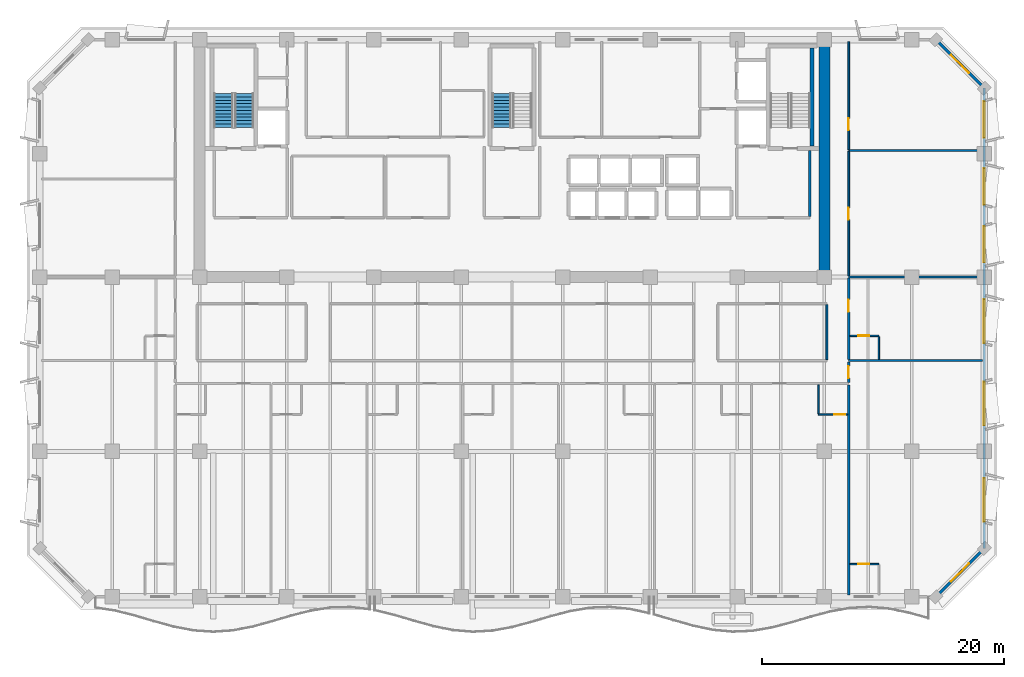
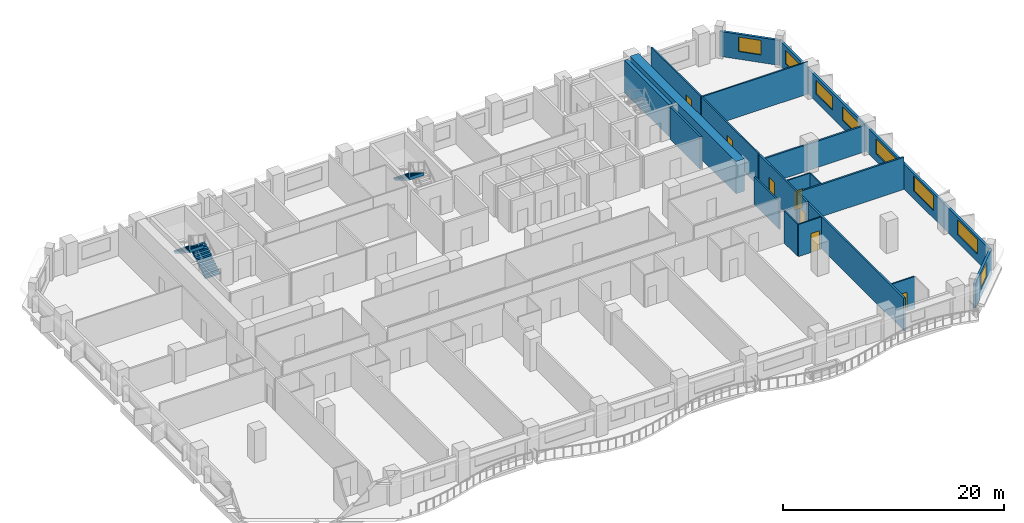
# One storey, part 9 of 15: 20 walls, 8 windows, 7 doors, 3 stair flights, 15 openings, 2 elements without a shape of their own.
"""IFC4 building model written with IfcOpenShell, lengths in metres."""

from ifc_helpers import new_model, si_unit, direction, frame, frame_2d, origin, place, context, subcontext, project, spatial, polyline, rectangle, outline, extrude, material, layer, layer_set, type_object, element, fill, aggregate, save


model = new_model("IFC4")

# Units and contexts
model_context = context("Model", 3, precision=1e-05, world=origin(), true_north=direction((0.0, 1.0)))
body_context = subcontext(model_context, "Body", "Model", "MODEL_VIEW")
ifc_project = project(units=[si_unit("LENGTHUNIT", "METRE"), si_unit("AREAUNIT", "SQUARE_METRE"), si_unit("VOLUMEUNIT", "CUBIC_METRE"), si_unit("PLANEANGLEUNIT", "RADIAN"), si_unit("MASSUNIT", "GRAM", prefix="KILO")], contexts=[model_context])

# Site, building, storey
site_placement = place(None, origin())
site = spatial("IfcSite", under=ifc_project, at=site_placement, CompositionType="ELEMENT")
building_placement = place(site_placement, origin())
building = spatial("IfcBuilding", under=site, at=building_placement, Name="Kaelvorn Grand Hotel", CompositionType="ELEMENT")
storey_placement = place(building_placement, frame((0.0, 0.0, 177.14990234375)))
storey = spatial("IfcBuildingStorey", under=building, at=storey_placement, Name="L43", CompositionType="ELEMENT", Elevation=177.14990234375)

# Wall
ifc_material_1 = material(Name="Concrete C60/75", Category="concrete")
ifc_layer_1 = layer(ifc_material_1, 0.89990234375)
ifc_layer_set_1 = layer_set([ifc_layer_1], Name="Concrete C60/75")
wall_type_1 = type_object("IfcWallType", Name="WL-CORE-900-C60", PredefinedType="SHEAR", material=ifc_layer_set_1)
wall_1_placement = place(storey_placement, frame((67.800048828125, 29.39990234375, 0.0), z_axis=(0.0, 0.0, 1.0), x_axis=(0.0, 1.0, 0.0)))
element("IfcWall", 1, at=wall_1_placement, inside=storey, type_object=wall_type_1, Name="L43 Rear-Core East Shear Wall", PredefinedType="SHEAR", context=body_context, shape_type="SweptSolid", body=[
    extrude(rectangle(XDim=19.2001953125, YDim=0.89990234375, at=frame_2d((9.60009765625, 0.0))), origin(), (0.0, 0.0, 1.0), 3.56005859375),
])

# Wall, opening, window
ifc_material_2 = material(Name="Concrete C40/50", Category="concrete")
ifc_layer_2 = layer(ifc_material_2, 0.239990234375)
ifc_layer_set_2 = layer_set([ifc_layer_2], Name="Concrete C40/50")
wall_type_2 = type_object("IfcWallType", Name="WL-EXT-240-C40", PredefinedType="SOLIDWALL", material=ifc_layer_set_2)
wall_2_placement = place(storey_placement, frame((77.0, 3.0, 0.0), z_axis=(0.0, 0.0, 1.0), x_axis=(0.707106781187, 0.707106781187, 0.0)))
wall_2 = element("IfcWall", 2, at=wall_2_placement, inside=storey, type_object=wall_type_2, Name="L43 Exterior Architectural Concrete Wall 02", PredefinedType="SOLIDWALL", context=body_context, shape_type="SweptSolid", body=[
    extrude(rectangle(XDim=5.65673828125, YDim=0.239990234375, at=frame_2d((2.828369140625, 0.0))), origin(), (0.0, 0.0, 1.0), 2.760009765625),
])
opening_1_placement = place(wall_2_placement, frame((1.7783203125, 0.0, 0.85009765625)))
opening_1 = element("IfcOpeningElement", 3, at=opening_1_placement, cuts=wall_2, Name="Opening W7", PredefinedType="OPENING", context=body_context, shape_type="SweptSolid", body=[
    extrude(rectangle(XDim=2.10009765625, YDim=1.60009765625, at=frame_2d((1.050048828125, 0.800048828125))), frame((0.0, 0.1298828125, 0.0), z_axis=(0.0, -1.0, 0.0), x_axis=(1.0, 0.0, 0.0)), (0.0, 0.0, 1.0), 0.260009765625),
])
ifc_material_3 = material(Name="Laminated Low-E Glass", Category="glass")
window_type_1 = type_object("IfcWindowType", Name="WIN-CHM-2100x1600", PartitioningType="SINGLE_PANEL", PredefinedType="WINDOW", material=ifc_material_3)
window_1_placement = place(opening_1_placement, origin())
window_1 = element("IfcWindow", 4, at=window_1_placement, inside=storey, type_object=window_type_1, Name="L43 Chamfered 45-Degree Corner Window SE", OverallHeight=1.60009765625, OverallWidth=2.10009765625, PartitioningType="SINGLE_PANEL", PredefinedType="WINDOW", context=body_context, shape_type="SweptSolid", body=[
    extrude(rectangle(XDim=2.10009765625, YDim=1.60009765625, at=frame_2d((1.050048828125, 0.800048828125))), frame((0.0, 0.030029296875, 0.0), z_axis=(0.0, -1.0, 0.0), x_axis=(1.0, 0.0, 0.0)), (0.0, 0.0, 1.0), 0.06005859375),
])
fill(opening_1, window_1)

# Wall, openings, windows
wall_3_placement = place(storey_placement, frame((81.0, 7.0, 0.0), z_axis=(0.0, 0.0, 1.0), x_axis=(0.0, 1.0, 0.0)))
wall_3 = element("IfcWall", 5, at=wall_3_placement, inside=storey, type_object=wall_type_2, Name="L43 Exterior Architectural Concrete Wall 03", PredefinedType="SOLIDWALL", context=body_context, shape_type="SweptSolid", body=[
    extrude(rectangle(XDim=38.0, YDim=0.239990234375, at=frame_2d((19.0, 0.0))), origin(), (0.0, 0.0, 1.0), 2.760009765625),
])
opening_2_placement = place(wall_3_placement, frame((2.199951171875, 0.0, 0.85009765625)))
opening_2 = element("IfcOpeningElement", 6, at=opening_2_placement, cuts=wall_3, Name="Opening W3", PredefinedType="OPENING", context=body_context, shape_type="SweptSolid", body=[
    extrude(rectangle(XDim=3.60009765625, YDim=1.64990234375, at=frame_2d((1.800048828125, 0.824951171875))), frame((0.0, 0.1298828125, 0.0), z_axis=(0.0, -1.0, 0.0), x_axis=(1.0, 0.0, 0.0)), (0.0, 0.0, 1.0), 0.260009765625),
])
opening_3_placement = place(wall_3_placement, frame((10.14990234375, 0.0, 0.85009765625)))
opening_3 = element("IfcOpeningElement", 7, at=opening_3_placement, cuts=wall_3, Name="Opening W3", PredefinedType="OPENING", context=body_context, shape_type="SweptSolid", body=[
    extrude(rectangle(XDim=3.60009765625, YDim=1.64990234375, at=frame_2d((1.800048828125, 0.824951171875))), frame((0.0, 0.1298828125, 0.0), z_axis=(0.0, -1.0, 0.0), x_axis=(1.0, 0.0, 0.0)), (0.0, 0.0, 1.0), 0.260009765625),
])
opening_4_placement = place(wall_3_placement, frame((16.949951171875, 0.0, 0.85009765625)))
opening_4 = element("IfcOpeningElement", 8, at=opening_4_placement, cuts=wall_3, Name="Opening W3", PredefinedType="OPENING", context=body_context, shape_type="SweptSolid", body=[
    extrude(rectangle(XDim=3.60009765625, YDim=1.64990234375, at=frame_2d((1.800048828125, 0.824951171875))), frame((0.0, 0.1298828125, 0.0), z_axis=(0.0, -1.0, 0.0), x_axis=(1.0, 0.0, 0.0)), (0.0, 0.0, 1.0), 0.260009765625),
])
opening_5_placement = place(wall_3_placement, frame((23.614990234375, 0.0, 0.85009765625)))
opening_5 = element("IfcOpeningElement", 9, at=opening_5_placement, cuts=wall_3, Name="Opening W5", PredefinedType="OPENING", context=body_context, shape_type="SweptSolid", body=[
    extrude(rectangle(XDim=3.0, YDim=1.5, at=frame_2d((1.5, 0.75))), frame((0.0, 0.1298828125, 0.0), z_axis=(0.0, -1.0, 0.0), x_axis=(1.0, 0.0, 0.0)), (0.0, 0.0, 1.0), 0.260009765625),
])
opening_6_placement = place(wall_3_placement, frame((28.385009765625, 0.0, 0.85009765625)))
opening_6 = element("IfcOpeningElement", 10, at=opening_6_placement, cuts=wall_3, Name="Opening W5", PredefinedType="OPENING", context=body_context, shape_type="SweptSolid", body=[
    extrude(rectangle(XDim=3.0, YDim=1.5, at=frame_2d((1.5, 0.75))), frame((0.0, 0.1298828125, 0.0), z_axis=(0.0, -1.0, 0.0), x_axis=(1.0, 0.0, 0.0)), (0.0, 0.0, 1.0), 0.260009765625),
])
opening_7_placement = place(wall_3_placement, frame((33.9150390625, 0.0, 0.85009765625)))
opening_7 = element("IfcOpeningElement", 11, at=opening_7_placement, cuts=wall_3, Name="Opening W5", PredefinedType="OPENING", context=body_context, shape_type="SweptSolid", body=[
    extrude(rectangle(XDim=3.0, YDim=1.5, at=frame_2d((1.5, 0.75))), frame((0.0, 0.1298828125, 0.0), z_axis=(0.0, -1.0, 0.0), x_axis=(1.0, 0.0, 0.0)), (0.0, 0.0, 1.0), 0.260009765625),
])
window_type_2 = type_object("IfcWindowType", Name="WIN-NTH-3000x1500", PartitioningType="SINGLE_PANEL", PredefinedType="WINDOW", material=ifc_material_3)
window_2_placement = place(opening_5_placement, origin())
window_2 = element("IfcWindow", 12, at=window_2_placement, inside=storey, type_object=window_type_2, Name="L43 E Wing Tilted-Frame Ribbon Window E04", OverallHeight=1.5, OverallWidth=3.0, PartitioningType="SINGLE_PANEL", PredefinedType="WINDOW", context=body_context, shape_type="SweptSolid", body=[
    extrude(rectangle(XDim=3.0, YDim=1.5, at=frame_2d((1.5, 0.75))), frame((0.0, 0.030029296875, 0.0), z_axis=(0.0, -1.0, 0.0), x_axis=(1.0, 0.0, 0.0)), (0.0, 0.0, 1.0), 0.06005859375),
])
fill(opening_5, window_2)
window_3_placement = place(opening_6_placement, origin())
window_3 = element("IfcWindow", 13, at=window_3_placement, inside=storey, type_object=window_type_2, Name="L43 E Wing Tilted-Frame Ribbon Window E05", OverallHeight=1.5, OverallWidth=3.0, PartitioningType="SINGLE_PANEL", PredefinedType="WINDOW", context=body_context, shape_type="SweptSolid", body=[
    extrude(rectangle(XDim=3.0, YDim=1.5, at=frame_2d((1.5, 0.75))), frame((0.0, 0.030029296875, 0.0), z_axis=(0.0, -1.0, 0.0), x_axis=(1.0, 0.0, 0.0)), (0.0, 0.0, 1.0), 0.06005859375),
])
fill(opening_6, window_3)
window_4_placement = place(opening_7_placement, origin())
window_4 = element("IfcWindow", 14, at=window_4_placement, inside=storey, type_object=window_type_2, Name="L43 E Wing Tilted-Frame Ribbon Window E06", OverallHeight=1.5, OverallWidth=3.0, PartitioningType="SINGLE_PANEL", PredefinedType="WINDOW", context=body_context, shape_type="SweptSolid", body=[
    extrude(rectangle(XDim=3.0, YDim=1.5, at=frame_2d((1.5, 0.75))), frame((0.0, 0.030029296875, 0.0), z_axis=(0.0, -1.0, 0.0), x_axis=(1.0, 0.0, 0.0)), (0.0, 0.0, 1.0), 0.06005859375),
])
fill(opening_7, window_4)
window_type_3 = type_object("IfcWindowType", Name="WIN-RIB-3600x1750", PartitioningType="SINGLE_PANEL", PredefinedType="WINDOW", material=ifc_material_3)
window_5_placement = place(opening_2_placement, origin())
window_5 = element("IfcWindow", 15, at=window_5_placement, inside=storey, type_object=window_type_3, Name="L43 E Wing Tilted-Frame Ribbon Window E01", OverallHeight=1.64990234375, OverallWidth=3.60009765625, PartitioningType="SINGLE_PANEL", PredefinedType="WINDOW", context=body_context, shape_type="SweptSolid", body=[
    extrude(rectangle(XDim=3.60009765625, YDim=1.64990234375, at=frame_2d((1.800048828125, 0.824951171875))), frame((0.0, 0.030029296875, 0.0), z_axis=(0.0, -1.0, 0.0), x_axis=(1.0, 0.0, 0.0)), (0.0, 0.0, 1.0), 0.06005859375),
])
fill(opening_2, window_5)
window_6_placement = place(opening_3_placement, origin())
window_6 = element("IfcWindow", 16, at=window_6_placement, inside=storey, type_object=window_type_3, Name="L43 E Wing Tilted-Frame Ribbon Window E02", OverallHeight=1.64990234375, OverallWidth=3.60009765625, PartitioningType="SINGLE_PANEL", PredefinedType="WINDOW", context=body_context, shape_type="SweptSolid", body=[
    extrude(rectangle(XDim=3.60009765625, YDim=1.64990234375, at=frame_2d((1.800048828125, 0.824951171875))), frame((0.0, 0.030029296875, 0.0), z_axis=(0.0, -1.0, 0.0), x_axis=(1.0, 0.0, 0.0)), (0.0, 0.0, 1.0), 0.06005859375),
])
fill(opening_3, window_6)
window_7_placement = place(opening_4_placement, origin())
window_7 = element("IfcWindow", 17, at=window_7_placement, inside=storey, type_object=window_type_3, Name="L43 E Wing Tilted-Frame Ribbon Window E03", OverallHeight=1.64990234375, OverallWidth=3.60009765625, PartitioningType="SINGLE_PANEL", PredefinedType="WINDOW", context=body_context, shape_type="SweptSolid", body=[
    extrude(rectangle(XDim=3.60009765625, YDim=1.64990234375, at=frame_2d((1.800048828125, 0.824951171875))), frame((0.0, 0.030029296875, 0.0), z_axis=(0.0, -1.0, 0.0), x_axis=(1.0, 0.0, 0.0)), (0.0, 0.0, 1.0), 0.06005859375),
])
fill(opening_4, window_7)

# Wall, opening, window
wall_4_placement = place(storey_placement, frame((81.0, 45.0, 0.0), z_axis=(0.0, 0.0, 1.0), x_axis=(-0.707106781187, 0.707106781187, 0.0)))
wall_4 = element("IfcWall", 18, at=wall_4_placement, inside=storey, type_object=wall_type_2, Name="L43 Exterior Architectural Concrete Wall 04", PredefinedType="SOLIDWALL", context=body_context, shape_type="SweptSolid", body=[
    extrude(rectangle(XDim=5.65673828125, YDim=0.239990234375, at=frame_2d((2.828369140625, 0.0))), origin(), (0.0, 0.0, 1.0), 2.760009765625),
])
opening_8_placement = place(wall_4_placement, frame((1.7783203125, 0.0, 0.85009765625)))
opening_8 = element("IfcOpeningElement", 19, at=opening_8_placement, cuts=wall_4, Name="Opening W7", PredefinedType="OPENING", context=body_context, shape_type="SweptSolid", body=[
    extrude(rectangle(XDim=2.10009765625, YDim=1.60009765625, at=frame_2d((1.050048828125, 0.800048828125))), frame((0.0, 0.1298828125, 0.0), z_axis=(0.0, -1.0, 0.0), x_axis=(1.0, 0.0, 0.0)), (0.0, 0.0, 1.0), 0.260009765625),
])
window_8_placement = place(opening_8_placement, origin())
window_8 = element("IfcWindow", 20, at=window_8_placement, inside=storey, type_object=window_type_1, Name="L43 Chamfered 45-Degree Corner Window NE", OverallHeight=1.60009765625, OverallWidth=2.10009765625, PartitioningType="SINGLE_PANEL", PredefinedType="WINDOW", context=body_context, shape_type="SweptSolid", body=[
    extrude(rectangle(XDim=2.10009765625, YDim=1.60009765625, at=frame_2d((1.050048828125, 0.800048828125))), frame((0.0, 0.030029296875, 0.0), z_axis=(0.0, -1.0, 0.0), x_axis=(1.0, 0.0, 0.0)), (0.0, 0.0, 1.0), 0.06005859375),
])
fill(opening_8, window_8)

# Wall, opening, door
ifc_material_4 = material(Name="Moisture-Resistant Tile & Stud Board")
ifc_layer_3 = layer(ifc_material_4, 0.125)
ifc_layer_set_3 = layer_set([ifc_layer_3], Name="Moisture-Resistant Tile & Stud Board")
wall_type_3 = type_object("IfcWallType", Name="WL-PART-125-WET", PredefinedType="PARTITIONING", material=ifc_layer_set_3)
wall_5_placement = place(storey_placement, frame((67.300048828125, 18.050048828125, 0.0), z_axis=(0.0, 0.0, 1.0), x_axis=(1.0, 0.0, 0.0)))
wall_5 = element("IfcWall", 21, at=wall_5_placement, inside=storey, type_object=wall_type_3, Name="L43 En-suite Bathroom L43-07 S Partition", PredefinedType="PARTITIONING", context=body_context, shape_type="SweptSolid", body=[
    extrude(rectangle(XDim=2.405029296875, YDim=0.125, at=frame_2d((1.20263671875, 0.0))), origin(), (0.0, 0.0, 1.0), 3.56005859375),
])
opening_9_placement = place(wall_5_placement, frame((1.300048828125, 0.0, 0.0)))
opening_9 = element("IfcOpeningElement", 22, at=opening_9_placement, cuts=wall_5, Name="Opening DI4", PredefinedType="OPENING", context=body_context, shape_type="SweptSolid", body=[
    extrude(rectangle(XDim=0.89990234375, YDim=2.10009765625, at=frame_2d((0.449951171875, 1.050048828125))), frame((0.0, 0.072509765625, 0.0), z_axis=(0.0, -1.0, 0.0), x_axis=(1.0, 0.0, 0.0)), (0.0, 0.0, 1.0), 0.14501953125),
])
ifc_material_5 = material(Name="Timber Veneer Leaf", Category="wood")
door_type_1 = type_object("IfcDoorType", Name="DR-INT-BATH-900x2100", OperationType="NOTDEFINED", PredefinedType="DOOR", material=ifc_material_5)
door_1_placement = place(opening_9_placement, origin())
door_1 = element("IfcDoor", 23, at=door_1_placement, inside=storey, type_object=door_type_1, Name="L43 En-suite Bathroom L43-07 Door", OperationType="SINGLE_SWING_RIGHT", OverallHeight=2.10009765625, OverallWidth=0.89990234375, PredefinedType="DOOR", context=body_context, shape_type="SweptSolid", body=[
    extrude(rectangle(XDim=0.89990234375, YDim=2.10009765625, at=frame_2d((0.449951171875, 1.050048828125))), frame((0.0, 0.02490234375, 0.0), z_axis=(0.0, -1.0, 0.0), x_axis=(1.0, 0.0, 0.0)), (0.0, 0.0, 1.0), 0.050048828125),
])
fill(opening_9, door_1)

# Wall
wall_6_placement = place(storey_placement, frame((67.300048828125, 18.117431640625, 0.0), z_axis=(0.0, 0.0, 1.0), x_axis=(0.0, 1.0, 0.0)))
element("IfcWall", 24, at=wall_6_placement, inside=storey, type_object=wall_type_3, Name="L43 En-suite Bathroom L43-07 W Partition", PredefinedType="PARTITIONING", context=body_context, shape_type="SweptSolid", body=[
    extrude(rectangle(XDim=2.387451171875, YDim=0.125, at=frame_2d((1.19384765625, 0.0))), origin(), (0.0, 0.0, 1.0), 3.56005859375),
])

# Wall, opening, door
wall_7_placement = place(storey_placement, frame((69.89501953125, 5.699951171875, 0.0), z_axis=(0.0, 0.0, 1.0), x_axis=(1.0, 0.0, 0.0)))
wall_7 = element("IfcWall", 25, at=wall_7_placement, inside=storey, type_object=wall_type_3, Name="L43 En-suite Bathroom L43-10 N Partition", PredefinedType="PARTITIONING", context=body_context, shape_type="SweptSolid", body=[
    extrude(rectangle(XDim=2.405029296875, YDim=0.125, at=frame_2d((1.20263671875, 0.0))), origin(), (0.0, 0.0, 1.0), 3.56005859375),
])
opening_10_placement = place(wall_7_placement, frame((0.705078125, 0.0, 0.0)))
opening_10 = element("IfcOpeningElement", 26, at=opening_10_placement, cuts=wall_7, Name="Opening DI4", PredefinedType="OPENING", context=body_context, shape_type="SweptSolid", body=[
    extrude(rectangle(XDim=0.89990234375, YDim=2.10009765625, at=frame_2d((0.449951171875, 1.050048828125))), frame((0.0, 0.072509765625, 0.0), z_axis=(0.0, -1.0, 0.0), x_axis=(1.0, 0.0, 0.0)), (0.0, 0.0, 1.0), 0.14501953125),
])
door_2_placement = place(opening_10_placement, origin())
door_2 = element("IfcDoor", 27, at=door_2_placement, inside=storey, type_object=door_type_1, Name="L43 En-suite Bathroom L43-10 Door", OperationType="SINGLE_SWING_RIGHT", OverallHeight=2.10009765625, OverallWidth=0.89990234375, PredefinedType="DOOR", context=body_context, shape_type="SweptSolid", body=[
    extrude(rectangle(XDim=0.89990234375, YDim=2.10009765625, at=frame_2d((0.449951171875, 1.050048828125))), frame((0.0, 0.02490234375, 0.0), z_axis=(0.0, -1.0, 0.0), x_axis=(1.0, 0.0, 0.0)), (0.0, 0.0, 1.0), 0.050048828125),
])
fill(opening_10, door_2)

wall_8_placement = place(storey_placement, frame((69.89501953125, 24.550048828125, 0.0), z_axis=(0.0, 0.0, 1.0), x_axis=(1.0, 0.0, 0.0)))
wall_8 = element("IfcWall", 28, at=wall_8_placement, inside=storey, type_object=wall_type_3, Name="L43 En-suite Bathroom L43-11 N Partition", PredefinedType="PARTITIONING", context=body_context, shape_type="SweptSolid", body=[
    extrude(rectangle(XDim=2.405029296875, YDim=0.125, at=frame_2d((1.20263671875, 0.0))), origin(), (0.0, 0.0, 1.0), 3.56005859375),
])
opening_11_placement = place(wall_8_placement, frame((0.705078125, 0.0, 0.0)))
opening_11 = element("IfcOpeningElement", 29, at=opening_11_placement, cuts=wall_8, Name="Opening DI4", PredefinedType="OPENING", context=body_context, shape_type="SweptSolid", body=[
    extrude(rectangle(XDim=0.89990234375, YDim=2.10009765625, at=frame_2d((0.449951171875, 1.050048828125))), frame((0.0, 0.072509765625, 0.0), z_axis=(0.0, -1.0, 0.0), x_axis=(1.0, 0.0, 0.0)), (0.0, 0.0, 1.0), 0.14501953125),
])
door_3_placement = place(opening_11_placement, origin())
door_3 = element("IfcDoor", 30, at=door_3_placement, inside=storey, type_object=door_type_1, Name="L43 En-suite Bathroom L43-11 Door", OperationType="SINGLE_SWING_RIGHT", OverallHeight=2.10009765625, OverallWidth=0.89990234375, PredefinedType="DOOR", context=body_context, shape_type="SweptSolid", body=[
    extrude(rectangle(XDim=0.89990234375, YDim=2.10009765625, at=frame_2d((0.449951171875, 1.050048828125))), frame((0.0, 0.02490234375, 0.0), z_axis=(0.0, -1.0, 0.0), x_axis=(1.0, 0.0, 0.0)), (0.0, 0.0, 1.0), 0.050048828125),
])
fill(opening_11, door_3)

# Walls
wall_9_placement = place(storey_placement, frame((72.300048828125, 22.594970703125, 0.0), z_axis=(0.0, 0.0, 1.0), x_axis=(0.0, 1.0, 0.0)))
element("IfcWall", 31, at=wall_9_placement, inside=storey, type_object=wall_type_3, Name="L43 En-suite Bathroom L43-11 E Partition", PredefinedType="PARTITIONING", context=body_context, shape_type="SweptSolid", body=[
    extrude(rectangle(XDim=1.887451171875, YDim=0.125, at=frame_2d((0.94384765625, 0.0))), origin(), (0.0, 0.0, 1.0), 3.56005859375),
])
ifc_material_6 = material(Name="Acoustic Gypsum & Stud Partition")
ifc_layer_4 = layer(ifc_material_6, 0.14990234375)
ifc_layer_set_4 = layer_set([ifc_layer_4], Name="Acoustic Gypsum & Stud Partition")
wall_type_4 = type_object("IfcWallType", Name="WL-PART-150-EI60", PredefinedType="PARTITIONING", material=ifc_layer_set_4)
wall_10_placement = place(storey_placement, frame((68.0, 22.580078125, 0.0), z_axis=(0.0, 0.0, 1.0), x_axis=(0.0, 1.0, 0.0)))
element("IfcWall", 32, at=wall_10_placement, inside=storey, type_object=wall_type_4, Name="L43 Press Briefing Office E Partition", PredefinedType="PARTITIONING", context=body_context, shape_type="SweptSolid", body=[
    extrude(rectangle(XDim=4.5400390625, YDim=0.14990234375, at=frame_2d((2.27001953125, 0.0))), origin(), (0.0, 0.0, 1.0), 3.06005859375),
])
wall_11_placement = place(storey_placement, frame((69.800048828125, 39.85009765625, 0.0), z_axis=(0.0, 0.0, 1.0), x_axis=(1.0, 0.0, 0.0)))
element("IfcWall", 33, at=wall_11_placement, inside=storey, type_object=wall_type_4, Name="L43 North-East Press Briefing Office N Partition", PredefinedType="PARTITIONING", context=body_context, shape_type="SweptSolid", body=[
    extrude(rectangle(XDim=11.050048828125, YDim=0.14990234375, at=frame_2d((5.52490234375, 0.0))), origin(), (0.0, 0.0, 1.0), 3.56005859375),
])

# Wall, opening, door
wall_12_placement = place(storey_placement, frame((69.800048828125, 29.4951171875, 0.0), z_axis=(0.0, 0.0, 1.0), x_axis=(0.0, 1.0, 0.0)))
wall_12 = element("IfcWall", 34, at=wall_12_placement, inside=storey, type_object=wall_type_4, Name="L43 North-East Press Briefing Office W Partition", PredefinedType="PARTITIONING", context=body_context, shape_type="SweptSolid", body=[
    extrude(rectangle(XDim=10.27490234375, YDim=0.14990234375, at=frame_2d((5.137451171875, 0.0))), origin(), (0.0, 0.0, 1.0), 3.56005859375),
])
opening_12_placement = place(wall_12_placement, frame((4.625, 0.0, 0.0)))
opening_12 = element("IfcOpeningElement", 35, at=opening_12_placement, cuts=wall_12, Name="Opening DI3", PredefinedType="OPENING", context=body_context, shape_type="SweptSolid", body=[
    extrude(rectangle(XDim=1.0, YDim=2.14990234375, at=frame_2d((0.5, 1.074951171875))), frame((0.0, 0.0849609375, 0.0), z_axis=(0.0, -1.0, 0.0), x_axis=(1.0, 0.0, 0.0)), (0.0, 0.0, 1.0), 0.169921875),
])
ifc_material_7 = material(Name="Timber Veneer Fire Leaf", Category="wood")
door_type_2 = type_object("IfcDoorType", Name="DR-INT-GUEST-1000x2150", OperationType="NOTDEFINED", PredefinedType="DOOR", material=ifc_material_7)
door_4_placement = place(opening_12_placement, origin())
door_4 = element("IfcDoor", 36, at=door_4_placement, inside=storey, type_object=door_type_2, Name="L43 North-East Press Briefing Office Door", OperationType="SINGLE_SWING_LEFT", OverallHeight=2.14990234375, OverallWidth=1.0, PredefinedType="DOOR", context=body_context, shape_type="SweptSolid", body=[
    extrude(rectangle(XDim=1.0, YDim=2.14990234375, at=frame_2d((0.5, 1.074951171875))), frame((0.0, 0.02490234375, 0.0), z_axis=(0.0, -1.0, 0.0), x_axis=(1.0, 0.0, 0.0)), (0.0, 0.0, 1.0), 0.050048828125),
])
fill(opening_12, door_4)

wall_13_placement = place(storey_placement, frame((69.800048828125, 39.929931640625, 0.0), z_axis=(0.0, 0.0, 1.0), x_axis=(0.0, 1.0, 0.0)))
wall_13 = element("IfcWall", 37, at=wall_13_placement, inside=storey, type_object=wall_type_4, Name="L43 North-East Private Cinema Lounge W Partition", PredefinedType="PARTITIONING", context=body_context, shape_type="SweptSolid", body=[
    extrude(rectangle(XDim=8.920166015625, YDim=0.14990234375, at=frame_2d((4.4599609375, 0.0))), origin(), (0.0, 0.0, 1.0), 3.56005859375),
])
opening_13_placement = place(wall_13_placement, frame((1.60009765625, 0.0, 0.0)))
opening_13 = element("IfcOpeningElement", 38, at=opening_13_placement, cuts=wall_13, Name="Opening DI3", PredefinedType="OPENING", context=body_context, shape_type="SweptSolid", body=[
    extrude(rectangle(XDim=1.0, YDim=2.14990234375, at=frame_2d((0.5, 1.074951171875))), frame((0.0, 0.0849609375, 0.0), z_axis=(0.0, -1.0, 0.0), x_axis=(1.0, 0.0, 0.0)), (0.0, 0.0, 1.0), 0.169921875),
])
door_5_placement = place(opening_13_placement, origin())
door_5 = element("IfcDoor", 39, at=door_5_placement, inside=storey, type_object=door_type_2, Name="L43 North-East Private Cinema Lounge Door", OperationType="SINGLE_SWING_RIGHT", OverallHeight=2.14990234375, OverallWidth=1.0, PredefinedType="DOOR", context=body_context, shape_type="SweptSolid", body=[
    extrude(rectangle(XDim=1.0, YDim=2.14990234375, at=frame_2d((0.5, 1.074951171875))), frame((0.0, 0.02490234375, 0.0), z_axis=(0.0, -1.0, 0.0), x_axis=(1.0, 0.0, 0.0)), (0.0, 0.0, 1.0), 0.050048828125),
])
fill(opening_13, door_5)

# Walls
ifc_layer_5 = layer(ifc_material_6, 0.179931640625)
ifc_layer_set_5 = layer_set([ifc_layer_5], Name="Acoustic Gypsum & Stud Partition")
wall_type_5 = type_object("IfcWallType", Name="WL-PART-180-EI60", PredefinedType="PARTITIONING", material=ifc_layer_set_5)
wall_14_placement = place(storey_placement, frame((69.800048828125, 3.14990234375, 0.0), z_axis=(0.0, 0.0, 1.0), x_axis=(0.0, 1.0, 0.0)))
element("IfcWall", 40, at=wall_14_placement, inside=storey, type_object=wall_type_5, Name="L43 Mid-Rise Signature Suite L43-07 E Partition", PredefinedType="PARTITIONING", context=body_context, shape_type="SweptSolid", body=[
    extrude(rectangle(XDim=17.35498046875, YDim=0.179931640625, at=frame_2d((8.677490234375, 0.0))), origin(), (0.0, 0.0, 1.0), 3.56005859375),
])
wall_15_placement = place(storey_placement, frame((69.800048828125, 22.5, 0.0), z_axis=(0.0, 0.0, 1.0), x_axis=(1.0, 0.0, 0.0)))
element("IfcWall", 41, at=wall_15_placement, inside=storey, type_object=wall_type_5, Name="L43 South-East Chamfer Suite L43-10 N Partition", PredefinedType="PARTITIONING", context=body_context, shape_type="SweptSolid", body=[
    extrude(rectangle(XDim=11.050048828125, YDim=0.179931640625, at=frame_2d((5.52490234375, 0.0))), origin(), (0.0, 0.0, 1.0), 3.56005859375),
])

# Wall, opening, door
wall_16_placement = place(storey_placement, frame((69.800048828125, 20.695068359375, 0.0), z_axis=(0.0, 0.0, 1.0), x_axis=(0.0, 1.0, 0.0)))
wall_16 = element("IfcWall", 42, at=wall_16_placement, inside=storey, type_object=wall_type_5, Name="L43 South-East Chamfer Suite L43-10 W Partition", PredefinedType="PARTITIONING", context=body_context, shape_type="SweptSolid", body=[
    extrude(rectangle(XDim=1.7099609375, YDim=0.179931640625, at=frame_2d((0.85498046875, 0.0))), origin(), (0.0, 0.0, 1.0), 3.56005859375),
])
opening_14_placement = place(wall_16_placement, frame((0.35498046875, 0.0, 0.0)))
opening_14 = element("IfcOpeningElement", 43, at=opening_14_placement, cuts=wall_16, Name="Opening DI3", PredefinedType="OPENING", context=body_context, shape_type="SweptSolid", body=[
    extrude(rectangle(XDim=1.0, YDim=2.14990234375, at=frame_2d((0.5, 1.074951171875))), frame((0.0, 0.10009765625, 0.0), z_axis=(0.0, -1.0, 0.0), x_axis=(1.0, 0.0, 0.0)), (0.0, 0.0, 1.0), 0.199951171875),
])
door_6_placement = place(opening_14_placement, origin())
door_6 = element("IfcDoor", 44, at=door_6_placement, inside=storey, type_object=door_type_2, Name="L43 South-East Chamfer Suite L43-10 Door", OperationType="SINGLE_SWING_LEFT", OverallHeight=2.14990234375, OverallWidth=1.0, PredefinedType="DOOR", context=body_context, shape_type="SweptSolid", body=[
    extrude(rectangle(XDim=1.0, YDim=2.14990234375, at=frame_2d((0.5, 1.074951171875))), frame((0.0, 0.02490234375, 0.0), z_axis=(0.0, -1.0, 0.0), x_axis=(1.0, 0.0, 0.0)), (0.0, 0.0, 1.0), 0.050048828125),
])
fill(opening_14, door_6)

# Wall
wall_17_placement = place(storey_placement, frame((69.800048828125, 29.39990234375, 0.0), z_axis=(0.0, 0.0, 1.0), x_axis=(1.0, 0.0, 0.0)))
element("IfcWall", 45, at=wall_17_placement, inside=storey, type_object=wall_type_5, Name="L43 East End Panoramic Suite L43-11 N Partition", PredefinedType="PARTITIONING", context=body_context, shape_type="SweptSolid", body=[
    extrude(rectangle(XDim=11.050048828125, YDim=0.179931640625, at=frame_2d((5.52490234375, 0.0))), origin(), (0.0, 0.0, 1.0), 2.91015625),
])

# Wall, opening, door
wall_18_placement = place(storey_placement, frame((69.800048828125, 22.594970703125, 0.0), z_axis=(0.0, 0.0, 1.0), x_axis=(0.0, 1.0, 0.0)))
wall_18 = element("IfcWall", 46, at=wall_18_placement, inside=storey, type_object=wall_type_5, Name="L43 East End Panoramic Suite L43-11 W Partition", PredefinedType="PARTITIONING", context=body_context, shape_type="SweptSolid", body=[
    extrude(rectangle(XDim=6.7099609375, YDim=0.179931640625, at=frame_2d((3.35498046875, 0.0))), origin(), (0.0, 0.0, 1.0), 3.56005859375),
])
opening_15_placement = place(wall_18_placement, frame((3.93994140625, 0.0, 0.0)))
opening_15 = element("IfcOpeningElement", 47, at=opening_15_placement, cuts=wall_18, Name="Opening DI3", PredefinedType="OPENING", context=body_context, shape_type="SweptSolid", body=[
    extrude(rectangle(XDim=1.0, YDim=2.14990234375, at=frame_2d((0.5, 1.074951171875))), frame((0.0, 0.10009765625, 0.0), z_axis=(0.0, -1.0, 0.0), x_axis=(1.0, 0.0, 0.0)), (0.0, 0.0, 1.0), 0.199951171875),
])
door_7_placement = place(opening_15_placement, origin())
door_7 = element("IfcDoor", 48, at=door_7_placement, inside=storey, type_object=door_type_2, Name="L43 East End Panoramic Suite L43-11 Door", OperationType="SINGLE_SWING_LEFT", OverallHeight=2.14990234375, OverallWidth=1.0, PredefinedType="DOOR", context=body_context, shape_type="SweptSolid", body=[
    extrude(rectangle(XDim=1.0, YDim=2.14990234375, at=frame_2d((0.5, 1.074951171875))), frame((0.0, 0.02490234375, 0.0), z_axis=(0.0, -1.0, 0.0), x_axis=(1.0, 0.0, 0.0)), (0.0, 0.0, 1.0), 0.050048828125),
])
fill(opening_15, door_7)

# Walls
ifc_layer_6 = layer(ifc_material_2, 0.219970703125)
ifc_layer_set_6 = layer_set([ifc_layer_6], Name="Concrete C40/50")
wall_type_6 = type_object("IfcWallType", Name="WL-PART-220-EI120", PredefinedType="PARTITIONING", material=ifc_layer_set_6)
wall_19_placement = place(storey_placement, frame((66.60009765625, 34.4150390625, 0.0), z_axis=(0.0, 0.0, 1.0), x_axis=(0.0, 1.0, 0.0)))
element("IfcWall", 49, at=wall_19_placement, inside=storey, type_object=wall_type_6, Name="L43 Firefighting Lift Lobby 2 E Partition", PredefinedType="PARTITIONING", context=body_context, shape_type="SweptSolid", body=[
    extrude(rectangle(XDim=5.429931640625, YDim=0.219970703125, at=frame_2d((2.71484375, 0.0))), origin(), (0.0, 0.0, 1.0), 3.56005859375),
])
ifc_layer_7 = layer(ifc_material_1, 0.35009765625)
ifc_layer_set_7 = layer_set([ifc_layer_7], Name="Concrete C60/75")
wall_type_7 = type_object("IfcWallType", Name="WL-SHAFT-350-C60", PredefinedType="SHEAR", material=ifc_layer_set_7)
wall_20_placement = place(storey_placement, frame((66.77490234375, 40.205078125, 0.0), z_axis=(0.0, 0.0, 1.0), x_axis=(0.0, 1.0, 0.0)))
element("IfcWall", 50, at=wall_20_placement, inside=storey, type_object=wall_type_7, Name="L43 ST3 Stair Shaft East Wall", PredefinedType="SHEAR", context=body_context, shape_type="SweptSolid", body=[
    extrude(rectangle(XDim=8.08984375, YDim=0.35009765625, at=frame_2d((4.044921875, 0.0))), origin(), (0.0, 0.0, 1.0), 3.56005859375),
])

# Stair, stair flights
stair_type = type_object("IfcStairType", Name="STR-DOG-1560-R08", PredefinedType="HALF_TURN_STAIR", material=ifc_material_2)
stair_1_placement = place(storey_placement, origin())
stair_1 = element("IfcStair", 51, at=stair_1_placement, inside=storey, type_object=stair_type, Name="L43 West Core Exit Stair ST1", PredefinedType="HALF_TURN_STAIR")
stair_flight_type = type_object("IfcStairFlightType", Name="FLG-DOG-1560-R08", PredefinedType="STRAIGHT", material=ifc_material_2)
stair_flight_1_placement = place(storey_placement, frame((19.89990234375, 41.760009765625, 0.0), z_axis=(0.0, 0.0, 1.0), x_axis=(0.0, 1.0, 0.0)))
stair_flight_1 = element("IfcStairFlight", 52, at=stair_flight_1_placement, type_object=stair_flight_type, Name="ST1 flight 1", NumberOfRisers=11, NumberOfTreads=10, PredefinedType="STRAIGHT", RiserHeight=0.172727273, TreadLength=0.28, context=body_context, shape_type="SweptSolid", body=[
    extrude(outline(polyline([(-0.0048828125, 0.0), (-0.0048828125, 0.0400390625), (0.0, 0.172607421875), (0.280029296875, 0.172607421875), (0.280029296875, 0.345458984375), (0.56005859375, 0.345458984375), (0.56005859375, 0.51806640625), (0.840087890625, 0.51806640625), (0.840087890625, 0.69091796875), (1.1201171875, 0.69091796875), (1.1201171875, 0.863525390625), (1.39990234375, 0.863525390625), (1.39990234375, 1.036376953125), (1.679931640625, 1.036376953125), (1.679931640625, 1.208984375), (1.9599609375, 1.208984375), (1.9599609375, 1.3818359375), (2.239990234375, 1.3818359375), (2.239990234375, 1.554443359375), (2.52001953125, 1.554443359375), (2.52001953125, 1.727294921875), (2.800048828125, 1.727294921875), (2.800048828125, 1.89990234375), (2.804931640625, 1.89990234375), (2.804931640625, 1.551025390625), (0.285400390625, 0.0), (-0.0048828125, 0.0)])), frame((0.0, 0.780029296875, 0.0), z_axis=(0.0, -1.0, 0.0), x_axis=(1.0, 0.0, 0.0)), (0.0, 0.0, 1.0), 1.56005859375),
])
stair_flight_2_placement = place(storey_placement, frame((18.179931640625, 44.56005859375, 1.900146484375), z_axis=(0.0, 0.0, 1.0), x_axis=(0.0, -1.0, 0.0)))
stair_flight_2 = element("IfcStairFlight", 53, at=stair_flight_2_placement, type_object=stair_flight_type, Name="ST1 flight 2", NumberOfRisers=11, NumberOfTreads=10, PredefinedType="STRAIGHT", RiserHeight=0.172727273, TreadLength=0.28, context=body_context, shape_type="SweptSolid", body=[
    extrude(outline(polyline([(-0.0048828125, 0.0), (-0.0048828125, 0.0400390625), (0.0, 0.172607421875), (0.280029296875, 0.172607421875), (0.280029296875, 0.345458984375), (0.56005859375, 0.345458984375), (0.56005859375, 0.51806640625), (0.840087890625, 0.51806640625), (0.840087890625, 0.69091796875), (1.1201171875, 0.69091796875), (1.1201171875, 0.863525390625), (1.39990234375, 0.863525390625), (1.39990234375, 1.036376953125), (1.679931640625, 1.036376953125), (1.679931640625, 1.208984375), (1.9599609375, 1.208984375), (1.9599609375, 1.3818359375), (2.239990234375, 1.3818359375), (2.239990234375, 1.554443359375), (2.52001953125, 1.554443359375), (2.52001953125, 1.727294921875), (2.800048828125, 1.727294921875), (2.800048828125, 1.89990234375), (2.804931640625, 1.89990234375), (2.804931640625, 1.551025390625), (0.285400390625, 0.0), (-0.0048828125, 0.0)])), frame((0.0, 0.780029296875, 0.0), z_axis=(0.0, -1.0, 0.0), x_axis=(1.0, 0.0, 0.0)), (0.0, 0.0, 1.0), 1.56005859375),
])
aggregate(stair_1, [stair_flight_1, stair_flight_2])

# Stair, stair flight
stair_2_placement = place(storey_placement, origin())
stair_2 = element("IfcStair", 54, at=stair_2_placement, inside=storey, type_object=stair_type, Name="L43 Central Core Exit Stair ST2", PredefinedType="HALF_TURN_STAIR")
stair_flight_3_placement = place(storey_placement, frame((41.139892578125, 44.56005859375, 1.900146484375), z_axis=(0.0, 0.0, 1.0), x_axis=(0.0, -1.0, 0.0)))
stair_flight_3 = element("IfcStairFlight", 55, at=stair_flight_3_placement, type_object=stair_flight_type, Name="ST2 flight 2", NumberOfRisers=11, NumberOfTreads=10, PredefinedType="STRAIGHT", RiserHeight=0.172727273, TreadLength=0.28, context=body_context, shape_type="SweptSolid", body=[
    extrude(outline(polyline([(-0.0048828125, 0.0), (-0.0048828125, 0.0400390625), (0.0, 0.172607421875), (0.280029296875, 0.172607421875), (0.280029296875, 0.345458984375), (0.56005859375, 0.345458984375), (0.56005859375, 0.51806640625), (0.840087890625, 0.51806640625), (0.840087890625, 0.69091796875), (1.1201171875, 0.69091796875), (1.1201171875, 0.863525390625), (1.39990234375, 0.863525390625), (1.39990234375, 1.036376953125), (1.679931640625, 1.036376953125), (1.679931640625, 1.208984375), (1.9599609375, 1.208984375), (1.9599609375, 1.3818359375), (2.239990234375, 1.3818359375), (2.239990234375, 1.554443359375), (2.52001953125, 1.554443359375), (2.52001953125, 1.727294921875), (2.800048828125, 1.727294921875), (2.800048828125, 1.89990234375), (2.804931640625, 1.89990234375), (2.804931640625, 1.551025390625), (0.285400390625, 0.0), (-0.0048828125, 0.0)])), frame((0.0, 0.780029296875, 0.0), z_axis=(0.0, -1.0, 0.0), x_axis=(1.0, 0.0, 0.0)), (0.0, 0.0, 1.0), 1.56005859375),
])
aggregate(stair_2, [stair_flight_3])

save(model, "model.ifc")
